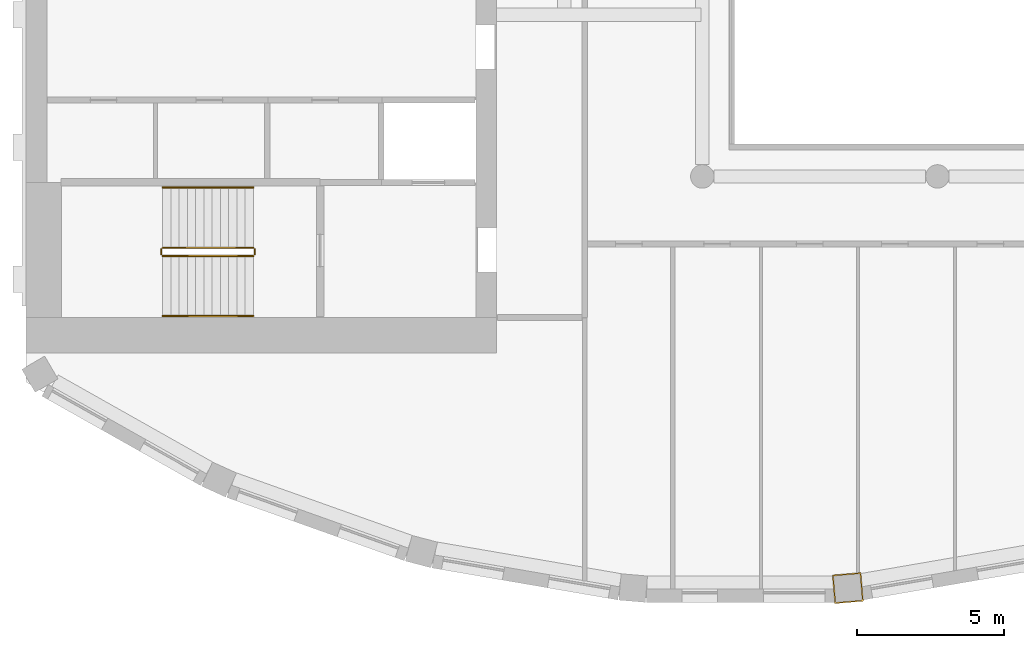
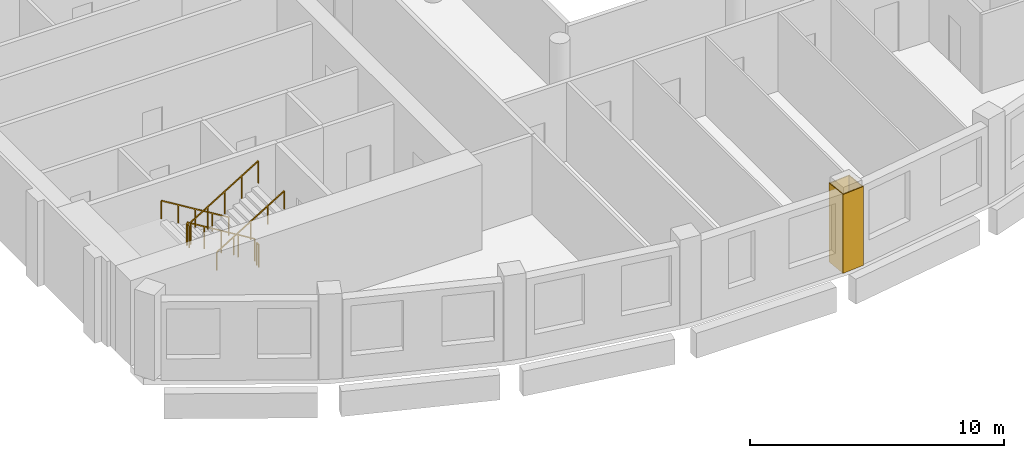
# One storey, part 11 of 15: 6 railings, 1 covering.
"""IFC4 building model written with IfcOpenShell, lengths in metres."""

from ifc_helpers import new_model, si_unit, direction, frame, origin, origin_2d, place, context, subcontext, project, spatial, polyline, rectangle, outline, extrude, material, layer, layer_set, type_object, element, save


model = new_model("IFC4")

# Units and contexts
model_context = context("Model", 3, precision=1e-05, world=origin(), true_north=direction((0.0, 1.0)))
body_context = subcontext(model_context, "Body", "Model", "MODEL_VIEW")
ifc_project = project(units=[si_unit("LENGTHUNIT", "METRE"), si_unit("AREAUNIT", "SQUARE_METRE"), si_unit("VOLUMEUNIT", "CUBIC_METRE"), si_unit("PLANEANGLEUNIT", "RADIAN"), si_unit("MASSUNIT", "GRAM", prefix="KILO")], contexts=[model_context])

# Site, building, storey
site_placement = place(None, origin())
site = spatial("IfcSite", under=ifc_project, at=site_placement, CompositionType="ELEMENT")
building_placement = place(site_placement, origin())
building = spatial("IfcBuilding", under=site, at=building_placement, Name="Cypress Arch Tower", CompositionType="ELEMENT")
storey_placement = place(building_placement, frame((0.0, 0.0, 309.0)))
storey = spatial("IfcBuildingStorey", under=building, at=storey_placement, Name="L70", CompositionType="ELEMENT", Elevation=309.0)

# Covering
ifc_material_1 = material(Name="Painted plasterboard column casing")
ifc_layer = layer(ifc_material_1, 0.0400390625)
ifc_layer_set = layer_set([ifc_layer], Name="Column casing CK40")
covering_type = type_object("IfcCoveringType", Name="Column casing CK40", PredefinedType="CLADDING", material=ifc_layer_set)
covering_placement = place(storey_placement, origin())
element("IfcCovering", 1, at=covering_placement, inside=storey, type_object=covering_type, Name="Column casing L70 CC15", PredefinedType="CLADDING", context=body_context, shape_type="SweptSolid", body=[
    extrude(outline(polyline([(-2.495361328125, -24.533203125), (-2.57861328125, -23.556884765625), (-1.602294921875, -23.473388671875), (-1.518798828125, -24.44970703125), (-2.495361328125, -24.533203125)]), holes=[polyline([(-2.458740234375, -24.489990234375), (-1.56201171875, -24.413330078125), (-1.638671875, -23.5166015625), (-2.535400390625, -23.59326171875), (-2.458740234375, -24.489990234375)])]), origin(), (0.0, 0.0, 1.0), 3.800048828125),
])

# Railings
ifc_material_2 = material(Name="Black powder-coated steel square bar 48 mm", Category="steel")
railing_type_1 = type_object("IfcRailingType", Name="Stair handrail HR1", PredefinedType="HANDRAIL", material=ifc_material_2)
railing_1_placement = place(storey_placement, frame((-22.27490234375, -10.375, 0.1708984375)))
element("IfcRailing", 2, at=railing_1_placement, inside=storey, type_object=railing_type_1, Name="L70 A stair handrail 1", PredefinedType="HANDRAIL", context=body_context, shape_type="SweptSolid", body=[
    extrude(rectangle(XDim=0.048095703125, YDim=0.048095703125, at=origin_2d()), frame((0.0, 0.0, 0.8759765625), z_axis=(-0.853666305674, 0.0, 0.52082035152), x_axis=(0.0, -1.0, 0.0)), (0.0, 0.0, 1.0), 3.608154296875),
    extrude(rectangle(XDim=0.0419921875, YDim=0.0419921875, at=origin_2d()), origin(), (0.0, 0.0, 1.0), 0.851806640625),
    extrude(rectangle(XDim=0.0419921875, YDim=0.0419921875, at=origin_2d()), frame((-0.77001953125, 0.0, 0.4697265625)), (0.0, 0.0, 1.0), 0.851806640625),
    extrude(rectangle(XDim=0.0419921875, YDim=0.0419921875, at=origin_2d()), frame((-1.5400390625, 0.0, 0.939453125)), (0.0, 0.0, 1.0), 0.851806640625),
    extrude(rectangle(XDim=0.0419921875, YDim=0.0419921875, at=origin_2d()), frame((-2.31005859375, 0.0, 1.409423828125)), (0.0, 0.0, 1.0), 0.851806640625),
    extrude(rectangle(XDim=0.0419921875, YDim=0.0419921875, at=origin_2d()), frame((-3.080078125, 0.0, 1.879150390625)), (0.0, 0.0, 1.0), 0.851806640625),
])
railing_2_placement = place(storey_placement, frame((-25.35498046875, -14.75, 2.220947265625)))
element("IfcRailing", 3, at=railing_2_placement, inside=storey, type_object=railing_type_1, Name="L70 A stair handrail 2", PredefinedType="HANDRAIL", context=body_context, shape_type="SweptSolid", body=[
    extrude(rectangle(XDim=0.048095703125, YDim=0.048095703125, at=origin_2d()), frame((0.0, 0.0, 0.8759765625), z_axis=(0.853666305674, 0.0, 0.52082035152), x_axis=(0.0, 1.0, 0.0)), (0.0, 0.0, 1.0), 3.608154296875),
    extrude(rectangle(XDim=0.0419921875, YDim=0.0419921875, at=origin_2d()), origin(), (0.0, 0.0, 1.0), 0.851806640625),
    extrude(rectangle(XDim=0.0419921875, YDim=0.0419921875, at=origin_2d()), frame((0.77001953125, 0.0, 0.4697265625)), (0.0, 0.0, 1.0), 0.851806640625),
    extrude(rectangle(XDim=0.0419921875, YDim=0.0419921875, at=origin_2d()), frame((1.5400390625, 0.0, 0.939453125)), (0.0, 0.0, 1.0), 0.851806640625),
    extrude(rectangle(XDim=0.0419921875, YDim=0.0419921875, at=origin_2d()), frame((2.31005859375, 0.0, 1.409423828125)), (0.0, 0.0, 1.0), 0.851806640625),
    extrude(rectangle(XDim=0.0419921875, YDim=0.0419921875, at=origin_2d()), frame((3.080078125, 0.0, 1.879150390625)), (0.0, 0.0, 1.0), 0.851806640625),
])
ifc_material_3 = material(Name="Black powder-coated steel balusters", Category="steel")
railing_type_2 = type_object("IfcRailingType", Name="Stair well guard G1", PredefinedType="GUARDRAIL", material=ifc_material_3)
railing_3_placement = place(storey_placement, frame((-22.27490234375, -12.425048828125, 0.1708984375)))
element("IfcRailing", 4, at=railing_3_placement, inside=storey, type_object=railing_type_2, Name="L70 A stair guard 1", PredefinedType="GUARDRAIL", context=body_context, shape_type="SweptSolid", body=[
    extrude(rectangle(XDim=0.048095703125, YDim=0.048095703125, at=origin_2d()), frame((0.0, 0.0, 1.076171875), z_axis=(-0.853666305674, 0.0, 0.52082035152), x_axis=(0.0, -1.0, 0.0)), (0.0, 0.0, 1.0), 3.608154296875),
    extrude(rectangle(XDim=0.0419921875, YDim=0.0419921875, at=origin_2d()), origin(), (0.0, 0.0, 1.0), 1.052001953125),
    extrude(rectangle(XDim=0.0419921875, YDim=0.0419921875, at=origin_2d()), frame((-0.77001953125, 0.0, 0.4697265625)), (0.0, 0.0, 1.0), 1.052001953125),
    extrude(rectangle(XDim=0.0419921875, YDim=0.0419921875, at=origin_2d()), frame((-1.5400390625, 0.0, 0.939453125)), (0.0, 0.0, 1.0), 1.052001953125),
    extrude(rectangle(XDim=0.0419921875, YDim=0.0419921875, at=origin_2d()), frame((-2.31005859375, 0.0, 1.409423828125)), (0.0, 0.0, 1.0), 1.052001953125),
    extrude(rectangle(XDim=0.0419921875, YDim=0.0419921875, at=origin_2d()), frame((-3.080078125, 0.0, 1.879150390625)), (0.0, 0.0, 1.0), 1.052001953125),
])
railing_4_placement = place(storey_placement, frame((-25.405029296875, -12.47509765625, 2.050048828125)))
element("IfcRailing", 5, at=railing_4_placement, inside=storey, type_object=railing_type_2, Name="L70 A stair guard 2", PredefinedType="GUARDRAIL", context=body_context, shape_type="SweptSolid", body=[
    extrude(rectangle(XDim=0.048095703125, YDim=0.048095703125, at=origin_2d()), frame((0.0, 0.0, 1.076171875), z_axis=(0.0, -1.0, 0.0), x_axis=(1.0, 0.0, 0.0)), (0.0, 0.0, 1.0), 0.1748046875),
    extrude(rectangle(XDim=0.0419921875, YDim=0.0419921875, at=origin_2d()), origin(), (0.0, 0.0, 1.0), 1.052001953125),
    extrude(rectangle(XDim=0.0419921875, YDim=0.0419921875, at=origin_2d()), frame((0.0, -0.1748046875, 0.0)), (0.0, 0.0, 1.0), 1.052001953125),
])
railing_5_placement = place(storey_placement, frame((-25.35498046875, -12.699951171875, 2.220947265625)))
element("IfcRailing", 6, at=railing_5_placement, inside=storey, type_object=railing_type_2, Name="L70 A stair guard 3", PredefinedType="GUARDRAIL", context=body_context, shape_type="SweptSolid", body=[
    extrude(rectangle(XDim=0.048095703125, YDim=0.048095703125, at=origin_2d()), frame((0.0, 0.0, 1.076171875), z_axis=(0.853666305674, 0.0, 0.52082035152), x_axis=(0.0, 1.0, 0.0)), (0.0, 0.0, 1.0), 3.608154296875),
    extrude(rectangle(XDim=0.0419921875, YDim=0.0419921875, at=origin_2d()), origin(), (0.0, 0.0, 1.0), 1.052001953125),
    extrude(rectangle(XDim=0.0419921875, YDim=0.0419921875, at=origin_2d()), frame((0.77001953125, 0.0, 0.4697265625)), (0.0, 0.0, 1.0), 1.052001953125),
    extrude(rectangle(XDim=0.0419921875, YDim=0.0419921875, at=origin_2d()), frame((1.5400390625, 0.0, 0.939453125)), (0.0, 0.0, 1.0), 1.052001953125),
    extrude(rectangle(XDim=0.0419921875, YDim=0.0419921875, at=origin_2d()), frame((2.31005859375, 0.0, 1.409423828125)), (0.0, 0.0, 1.0), 1.052001953125),
    extrude(rectangle(XDim=0.0419921875, YDim=0.0419921875, at=origin_2d()), frame((3.080078125, 0.0, 1.879150390625)), (0.0, 0.0, 1.0), 1.052001953125),
])
railing_6_placement = place(storey_placement, frame((-22.22509765625, -12.47509765625, 0.0)))
element("IfcRailing", 7, at=railing_6_placement, inside=storey, type_object=railing_type_2, Name="L70 A stair guard 4", PredefinedType="GUARDRAIL", context=body_context, shape_type="SweptSolid", body=[
    extrude(rectangle(XDim=0.048095703125, YDim=0.048095703125, at=origin_2d()), frame((0.0, 0.0, 1.076171875), z_axis=(0.0, -1.0, 0.0), x_axis=(1.0, 0.0, 0.0)), (0.0, 0.0, 1.0), 0.1748046875),
    extrude(rectangle(XDim=0.0419921875, YDim=0.0419921875, at=origin_2d()), origin(), (0.0, 0.0, 1.0), 1.052001953125),
    extrude(rectangle(XDim=0.0419921875, YDim=0.0419921875, at=origin_2d()), frame((0.0, -0.1748046875, 0.0)), (0.0, 0.0, 1.0), 1.052001953125),
])

save(model, "model.ifc")
